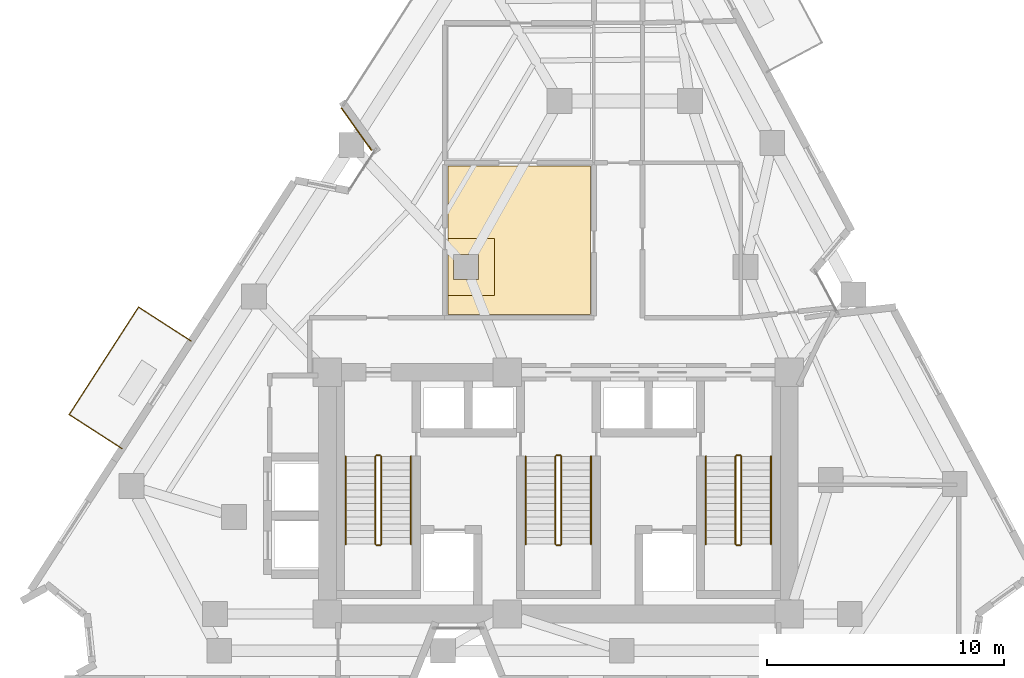
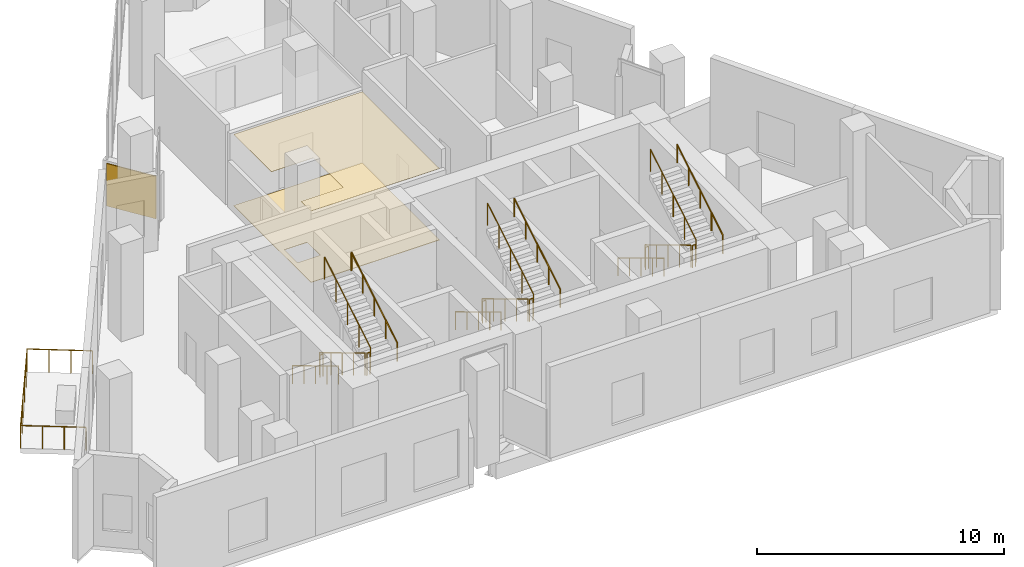
# One storey, part 9 of 10: 19 railings, 3 coverings.
"""IFC4 building model written with IfcOpenShell, lengths in metres."""

from ifc_helpers import new_model, si_unit, direction, frame, origin, origin_2d, place, context, subcontext, project, spatial, polyline, rectangle, circle, outline, extrude, material, layer, layer_set, type_object, element, save


model = new_model("IFC4")

# Units and contexts
model_context = context("Model", 3, precision=1e-05, world=origin(), true_north=direction((0.0, 1.0)))
body_context = subcontext(model_context, "Body", "Model", "MODEL_VIEW")
ifc_project = project(units=[si_unit("LENGTHUNIT", "METRE"), si_unit("AREAUNIT", "SQUARE_METRE"), si_unit("VOLUMEUNIT", "CUBIC_METRE"), si_unit("PLANEANGLEUNIT", "RADIAN"), si_unit("MASSUNIT", "GRAM", prefix="KILO")], contexts=[model_context])

# Site, building, storey
site_placement = place(None, origin())
site = spatial("IfcSite", under=ifc_project, at=site_placement, CompositionType="ELEMENT")
building_placement = place(site_placement, origin())
building = spatial("IfcBuilding", under=site, at=building_placement, Name="Almagre Mirador Tower", CompositionType="ELEMENT")
storey_placement = place(building_placement, frame((0.0, 0.0, 196.800048828125)))
storey = spatial("IfcBuildingStorey", under=building, at=storey_placement, Name="L51", CompositionType="ELEMENT", Elevation=196.800048828125)

# Coverings
ifc_material_1 = material(Name="Perforated acoustic gypsum ceiling", Category="other")
ifc_layer_1 = layer(ifc_material_1, 0.01806640625)
ifc_layer_set_1 = layer_set([ifc_layer_1], Name="Perforated acoustic gypsum ceiling")
covering_type_1 = type_object("IfcCoveringType", Name="COV-CEIL-GYP-18", PredefinedType="CEILING", material=ifc_layer_set_1)
covering_1_placement = place(storey_placement, frame((0.0, 0.0, 3.52001953125)))
element("IfcCovering", 1, at=covering_1_placement, inside=storey, type_object=covering_type_1, Name="L51 L51 Transfer Sky Lobby acoustic suspended ceiling", PredefinedType="CEILING", context=body_context, shape_type="SweptSolid", body=[
    extrude(outline(polyline([(32.64990234375, 17.9951171875), (34.60498046875, 17.9951171875), (34.60498046875, 20.405029296875), (32.64990234375, 20.405029296875), (32.64990234375, 23.449951171875), (38.64990234375, 23.449951171875), (38.64990234375, 17.199951171875), (32.64990234375, 17.199951171875), (32.64990234375, 17.9951171875)])), origin(), (0.0, 0.0, 1.0), 0.017822265625),
])
ifc_material_2 = material(Name="Almagre terracotta architectural cladding", Category="masonry")
ifc_layer_2 = layer(ifc_material_2, 0.044921875)
ifc_layer_set_2 = layer_set([ifc_layer_2], Name="Almagre terracotta architectural cladding")
covering_type_2 = type_object("IfcCoveringType", Name="COV-CLAD-ALMAGRE", PredefinedType="CLADDING", material=ifc_layer_set_2)
covering_2_placement = place(storey_placement, frame((28.778076171875, 25.016845703125, 0.099853515625), z_axis=(0.0, 0.0, 1.0), x_axis=(-0.580475589131, 0.814277649468, 0.0)))
element("IfcCovering", 2, at=covering_2_placement, inside=storey, type_object=covering_type_2, Name="L51 almagre terracotta pier cladding", PredefinedType="CLADDING", context=body_context, shape_type="SweptSolid", body=[
    extrude(rectangle(XDim=2.194091796875, YDim=0.044921875, at=origin_2d()), origin(), (0.0, 0.0, 1.0), 2.10009765625),
])
ifc_material_3 = material(Name="Honed basalt terrazzo flooring", Category="masonry")
ifc_layer_3 = layer(ifc_material_3, 0.02197265625)
ifc_layer_set_3 = layer_set([ifc_layer_3], Name="Honed basalt terrazzo flooring")
covering_type_3 = type_object("IfcCoveringType", Name="COV-FLR-TER-22", PredefinedType="FLOORING", material=ifc_layer_set_3)
covering_3_placement = place(storey_placement, origin())
element("IfcCovering", 3, at=covering_3_placement, inside=storey, type_object=covering_type_3, Name="L51 L51 Transfer Sky Lobby finish flooring", PredefinedType="FLOORING", context=body_context, shape_type="SweptSolid", body=[
    extrude(outline(polyline([(32.64990234375, 17.199951171875), (32.64990234375, 23.449951171875), (38.64990234375, 23.449951171875), (38.64990234375, 17.199951171875), (32.64990234375, 17.199951171875)]), holes=[polyline([(32.8701171875, 18.669921875), (32.8701171875, 19.72998046875), (33.929931640625, 19.72998046875), (33.929931640625, 18.669921875), (32.8701171875, 18.669921875)])]), origin(), (0.0, 0.0, 1.0), 0.02197265625),
])

# Railings
ifc_material_4 = material(Name="Black anodized aluminium", Category="aluminium")
railing_type_1 = type_object("IfcRailingType", Name="RLG-BAL-1150", PredefinedType="BALUSTRADE", material=ifc_material_4)
railing_1_placement = place(storey_placement, frame((21.802978515625, 16.069091796875, 0.0)))
element("IfcRailing", 4, at=railing_1_placement, inside=storey, type_object=railing_type_1, Name="L51 west balcony balustrade 2", PredefinedType="BALUSTRADE", context=body_context, shape_type="SweptSolid", body=[
    extrude(circle(Radius=0.02392578125, at=origin_2d()), frame((0.0, 0.0, 1.1259765625), z_axis=(-0.840363006346, 0.542024000913, 0.0), x_axis=(-0.542024000913, -0.840363006346, 0.0)), (0.0, 0.0, 1.0), 2.64892578125),
    extrude(circle(Radius=0.02392578125, at=origin_2d()), frame((-2.22607421875, 1.435791015625, 1.1259765625), z_axis=(-0.542043453001, -0.840350459665, 0.0), x_axis=(0.840350459665, -0.542043453001, 0.0)), (0.0, 0.0, 1.0), 5.39990234375),
    extrude(circle(Radius=0.02392578125, at=origin_2d()), frame((-5.153076171875, -3.10205078125, 1.1259765625), z_axis=(0.840429304159, -0.54192119788, 0.0), x_axis=(0.54192119788, 0.840429304159, 0.0)), (0.0, 0.0, 1.0), 2.64990234375),
    extrude(circle(Radius=0.02099609375, at=origin_2d()), origin(), (0.0, 0.0, 1.0), 1.101806640625),
    extrude(circle(Radius=0.02099609375, at=origin_2d()), frame((-0.741943359375, 0.478515625, 0.0)), (0.0, 0.0, 1.0), 1.101806640625),
    extrude(circle(Radius=0.02099609375, at=origin_2d()), frame((-1.484130859375, 0.957275390625, 0.0)), (0.0, 0.0, 1.0), 1.101806640625),
    extrude(circle(Radius=0.02099609375, at=origin_2d()), frame((-2.22607421875, 1.435791015625, 0.0)), (0.0, 0.0, 1.0), 1.101806640625),
    extrude(circle(Radius=0.02099609375, at=origin_2d()), frame((-2.8115234375, 0.5283203125, 0.0)), (0.0, 0.0, 1.0), 1.101806640625),
    extrude(circle(Radius=0.02099609375, at=origin_2d()), frame((-3.39697265625, -0.37939453125, 0.0)), (0.0, 0.0, 1.0), 1.101806640625),
    extrude(circle(Radius=0.02099609375, at=origin_2d()), frame((-3.982177734375, -1.286865234375, 0.0)), (0.0, 0.0, 1.0), 1.101806640625),
    extrude(circle(Radius=0.02099609375, at=origin_2d()), frame((-4.567626953125, -2.194580078125, 0.0)), (0.0, 0.0, 1.0), 1.101806640625),
    extrude(circle(Radius=0.02099609375, at=origin_2d()), frame((-5.153076171875, -3.10205078125, 0.0)), (0.0, 0.0, 1.0), 1.101806640625),
    extrude(circle(Radius=0.02099609375, at=origin_2d()), frame((-4.41064453125, -3.580810546875, 0.0)), (0.0, 0.0, 1.0), 1.101806640625),
    extrude(circle(Radius=0.02099609375, at=origin_2d()), frame((-3.66845703125, -4.059326171875, 0.0)), (0.0, 0.0, 1.0), 1.101806640625),
    extrude(circle(Radius=0.02099609375, at=origin_2d()), frame((-2.926025390625, -4.5380859375, 0.0)), (0.0, 0.0, 1.0), 1.101806640625),
])
ifc_material_5 = material(Name="Painted galvanized steel", Category="steel")
railing_type_2 = type_object("IfcRailingType", Name="RLG-GRD-1100", PredefinedType="GUARDRAIL", material=ifc_material_5)
railing_2_placement = place(storey_placement, frame((29.574951171875, 11.199951171875, 0.17138671875)))
element("IfcRailing", 5, at=railing_2_placement, inside=storey, type_object=railing_type_2, Name="L51 ST-1 stair guard 1", PredefinedType="GUARDRAIL", context=body_context, shape_type="SweptSolid", body=[
    extrude(circle(Radius=0.02392578125, at=origin_2d()), frame((0.0, 0.0, 1.09619140625), z_axis=(0.0, -0.856919398105, 0.515450429384), x_axis=(1.0, 0.0, 0.0)), (0.0, 0.0, 1.0), 4.323486328125),
    extrude(circle(Radius=0.02099609375, at=origin_2d()), origin(), (0.0, 0.0, 1.0), 1.072021484375),
    extrude(circle(Radius=0.02099609375, at=origin_2d()), frame((0.0, -0.92626953125, 0.55712890625)), (0.0, 0.0, 1.0), 1.072021484375),
    extrude(circle(Radius=0.02099609375, at=origin_2d()), frame((0.0, -1.8525390625, 1.1142578125)), (0.0, 0.0, 1.0), 1.072021484375),
    extrude(circle(Radius=0.02099609375, at=origin_2d()), frame((0.0, -2.778564453125, 1.67138671875)), (0.0, 0.0, 1.0), 1.072021484375),
    extrude(circle(Radius=0.02099609375, at=origin_2d()), frame((0.0, -3.704833984375, 2.228515625)), (0.0, 0.0, 1.0), 1.072021484375),
])
railing_3_placement = place(storey_placement, frame((29.625, 7.445068359375, 2.39990234375)))
element("IfcRailing", 6, at=railing_3_placement, inside=storey, type_object=railing_type_2, Name="L51 ST-1 stair guard 2", PredefinedType="GUARDRAIL", context=body_context, shape_type="SweptSolid", body=[
    extrude(circle(Radius=0.02392578125, at=origin_2d()), frame((0.0, 0.0, 1.09619140625), z_axis=(1.0, 0.0, 0.0), x_axis=(0.0, 1.0, 0.0)), (0.0, 0.0, 1.0), 0.14990234375),
    extrude(circle(Radius=0.02099609375, at=origin_2d()), origin(), (0.0, 0.0, 1.0), 1.072021484375),
    extrude(circle(Radius=0.02099609375, at=origin_2d()), frame((0.14990234375, 0.0, 0.0)), (0.0, 0.0, 1.0), 1.072021484375),
])
railing_4_placement = place(storey_placement, frame((29.824951171875, 7.4951171875, 2.5712890625)))
element("IfcRailing", 7, at=railing_4_placement, inside=storey, type_object=railing_type_2, Name="L51 ST-1 stair guard 3", PredefinedType="GUARDRAIL", context=body_context, shape_type="SweptSolid", body=[
    extrude(circle(Radius=0.02392578125, at=origin_2d()), frame((0.0, 0.0, 1.09619140625), z_axis=(0.0, 0.856894455432, 0.515491893485), x_axis=(-1.0, 0.0, 0.0)), (0.0, 0.0, 1.0), 4.323486328125),
    extrude(circle(Radius=0.02099609375, at=origin_2d()), origin(), (0.0, 0.0, 1.0), 1.072021484375),
    extrude(circle(Radius=0.02099609375, at=origin_2d()), frame((0.0, 0.92626953125, 0.55712890625)), (0.0, 0.0, 1.0), 1.072021484375),
    extrude(circle(Radius=0.02099609375, at=origin_2d()), frame((0.0, 1.8525390625, 1.1142578125)), (0.0, 0.0, 1.0), 1.072021484375),
    extrude(circle(Radius=0.02099609375, at=origin_2d()), frame((0.0, 2.778564453125, 1.671630859375)), (0.0, 0.0, 1.0), 1.072021484375),
    extrude(circle(Radius=0.02099609375, at=origin_2d()), frame((0.0, 3.704833984375, 2.228759765625)), (0.0, 0.0, 1.0), 1.072021484375),
])
railing_5_placement = place(storey_placement, frame((29.625, 11.25, 0.0)))
element("IfcRailing", 8, at=railing_5_placement, inside=storey, type_object=railing_type_2, Name="L51 ST-1 stair guard 4", PredefinedType="GUARDRAIL", context=body_context, shape_type="SweptSolid", body=[
    extrude(circle(Radius=0.02392578125, at=origin_2d()), frame((0.0, 0.0, 1.09619140625), z_axis=(1.0, 0.0, 0.0), x_axis=(0.0, 1.0, 0.0)), (0.0, 0.0, 1.0), 0.14990234375),
    extrude(circle(Radius=0.02099609375, at=origin_2d()), origin(), (0.0, 0.0, 1.0), 1.072021484375),
    extrude(circle(Radius=0.02099609375, at=origin_2d()), frame((0.14990234375, 0.0, 0.0)), (0.0, 0.0, 1.0), 1.072021484375),
])
railing_6_placement = place(storey_placement, frame((37.175048828125, 11.199951171875, 0.17138671875)))
element("IfcRailing", 9, at=railing_6_placement, inside=storey, type_object=railing_type_2, Name="L51 ST-2 stair guard 1", PredefinedType="GUARDRAIL", context=body_context, shape_type="SweptSolid", body=[
    extrude(circle(Radius=0.02392578125, at=origin_2d()), frame((0.0, 0.0, 1.09619140625), z_axis=(0.0, -0.856919398105, 0.515450429384), x_axis=(1.0, 0.0, 0.0)), (0.0, 0.0, 1.0), 4.323486328125),
    extrude(circle(Radius=0.02099609375, at=origin_2d()), origin(), (0.0, 0.0, 1.0), 1.072021484375),
    extrude(circle(Radius=0.02099609375, at=origin_2d()), frame((0.0, -0.92626953125, 0.55712890625)), (0.0, 0.0, 1.0), 1.072021484375),
    extrude(circle(Radius=0.02099609375, at=origin_2d()), frame((0.0, -1.8525390625, 1.1142578125)), (0.0, 0.0, 1.0), 1.072021484375),
    extrude(circle(Radius=0.02099609375, at=origin_2d()), frame((0.0, -2.778564453125, 1.67138671875)), (0.0, 0.0, 1.0), 1.072021484375),
    extrude(circle(Radius=0.02099609375, at=origin_2d()), frame((0.0, -3.704833984375, 2.228515625)), (0.0, 0.0, 1.0), 1.072021484375),
])
railing_7_placement = place(storey_placement, frame((37.22509765625, 7.445068359375, 2.39990234375)))
element("IfcRailing", 10, at=railing_7_placement, inside=storey, type_object=railing_type_2, Name="L51 ST-2 stair guard 2", PredefinedType="GUARDRAIL", context=body_context, shape_type="SweptSolid", body=[
    extrude(circle(Radius=0.02392578125, at=origin_2d()), frame((0.0, 0.0, 1.09619140625), z_axis=(1.0, 0.0, 0.0), x_axis=(0.0, 1.0, 0.0)), (0.0, 0.0, 1.0), 0.14990234375),
    extrude(circle(Radius=0.02099609375, at=origin_2d()), origin(), (0.0, 0.0, 1.0), 1.072021484375),
    extrude(circle(Radius=0.02099609375, at=origin_2d()), frame((0.14990234375, 0.0, 0.0)), (0.0, 0.0, 1.0), 1.072021484375),
])
railing_8_placement = place(storey_placement, frame((37.425048828125, 7.4951171875, 2.5712890625)))
element("IfcRailing", 11, at=railing_8_placement, inside=storey, type_object=railing_type_2, Name="L51 ST-2 stair guard 3", PredefinedType="GUARDRAIL", context=body_context, shape_type="SweptSolid", body=[
    extrude(circle(Radius=0.02392578125, at=origin_2d()), frame((0.0, 0.0, 1.09619140625), z_axis=(0.0, 0.856894455432, 0.515491893485), x_axis=(-1.0, 0.0, 0.0)), (0.0, 0.0, 1.0), 4.323486328125),
    extrude(circle(Radius=0.02099609375, at=origin_2d()), origin(), (0.0, 0.0, 1.0), 1.072021484375),
    extrude(circle(Radius=0.02099609375, at=origin_2d()), frame((0.0, 0.92626953125, 0.55712890625)), (0.0, 0.0, 1.0), 1.072021484375),
    extrude(circle(Radius=0.02099609375, at=origin_2d()), frame((0.0, 1.8525390625, 1.1142578125)), (0.0, 0.0, 1.0), 1.072021484375),
    extrude(circle(Radius=0.02099609375, at=origin_2d()), frame((0.0, 2.778564453125, 1.671630859375)), (0.0, 0.0, 1.0), 1.072021484375),
    extrude(circle(Radius=0.02099609375, at=origin_2d()), frame((0.0, 3.704833984375, 2.228759765625)), (0.0, 0.0, 1.0), 1.072021484375),
])
railing_9_placement = place(storey_placement, frame((37.22509765625, 11.25, 0.0)))
element("IfcRailing", 12, at=railing_9_placement, inside=storey, type_object=railing_type_2, Name="L51 ST-2 stair guard 4", PredefinedType="GUARDRAIL", context=body_context, shape_type="SweptSolid", body=[
    extrude(circle(Radius=0.02392578125, at=origin_2d()), frame((0.0, 0.0, 1.09619140625), z_axis=(1.0, 0.0, 0.0), x_axis=(0.0, 1.0, 0.0)), (0.0, 0.0, 1.0), 0.14990234375),
    extrude(circle(Radius=0.02099609375, at=origin_2d()), origin(), (0.0, 0.0, 1.0), 1.072021484375),
    extrude(circle(Radius=0.02099609375, at=origin_2d()), frame((0.14990234375, 0.0, 0.0)), (0.0, 0.0, 1.0), 1.072021484375),
])
railing_10_placement = place(storey_placement, frame((44.77490234375, 11.199951171875, 0.17138671875)))
element("IfcRailing", 13, at=railing_10_placement, inside=storey, type_object=railing_type_2, Name="L51 ST-3 stair guard 1", PredefinedType="GUARDRAIL", context=body_context, shape_type="SweptSolid", body=[
    extrude(circle(Radius=0.02392578125, at=origin_2d()), frame((0.0, 0.0, 1.09619140625), z_axis=(0.0, -0.856919398105, 0.515450429384), x_axis=(1.0, 0.0, 0.0)), (0.0, 0.0, 1.0), 4.323486328125),
    extrude(circle(Radius=0.02099609375, at=origin_2d()), origin(), (0.0, 0.0, 1.0), 1.072021484375),
    extrude(circle(Radius=0.02099609375, at=origin_2d()), frame((0.0, -0.92626953125, 0.55712890625)), (0.0, 0.0, 1.0), 1.072021484375),
    extrude(circle(Radius=0.02099609375, at=origin_2d()), frame((0.0, -1.8525390625, 1.1142578125)), (0.0, 0.0, 1.0), 1.072021484375),
    extrude(circle(Radius=0.02099609375, at=origin_2d()), frame((0.0, -2.778564453125, 1.67138671875)), (0.0, 0.0, 1.0), 1.072021484375),
    extrude(circle(Radius=0.02099609375, at=origin_2d()), frame((0.0, -3.704833984375, 2.228515625)), (0.0, 0.0, 1.0), 1.072021484375),
])
railing_11_placement = place(storey_placement, frame((44.824951171875, 7.445068359375, 2.39990234375)))
element("IfcRailing", 14, at=railing_11_placement, inside=storey, type_object=railing_type_2, Name="L51 ST-3 stair guard 2", PredefinedType="GUARDRAIL", context=body_context, shape_type="SweptSolid", body=[
    extrude(circle(Radius=0.02392578125, at=origin_2d()), frame((0.0, 0.0, 1.09619140625), z_axis=(1.0, 0.0, 0.0), x_axis=(0.0, 1.0, 0.0)), (0.0, 0.0, 1.0), 0.150146484375),
    extrude(circle(Radius=0.02099609375, at=origin_2d()), origin(), (0.0, 0.0, 1.0), 1.072021484375),
    extrude(circle(Radius=0.02099609375, at=origin_2d()), frame((0.150146484375, 0.0, 0.0)), (0.0, 0.0, 1.0), 1.072021484375),
])
railing_12_placement = place(storey_placement, frame((45.02490234375, 7.4951171875, 2.5712890625)))
element("IfcRailing", 15, at=railing_12_placement, inside=storey, type_object=railing_type_2, Name="L51 ST-3 stair guard 3", PredefinedType="GUARDRAIL", context=body_context, shape_type="SweptSolid", body=[
    extrude(circle(Radius=0.02392578125, at=origin_2d()), frame((0.0, 0.0, 1.09619140625), z_axis=(0.0, 0.856894455432, 0.515491893485), x_axis=(-1.0, 0.0, 0.0)), (0.0, 0.0, 1.0), 4.323486328125),
    extrude(circle(Radius=0.02099609375, at=origin_2d()), origin(), (0.0, 0.0, 1.0), 1.072021484375),
    extrude(circle(Radius=0.02099609375, at=origin_2d()), frame((0.0, 0.92626953125, 0.55712890625)), (0.0, 0.0, 1.0), 1.072021484375),
    extrude(circle(Radius=0.02099609375, at=origin_2d()), frame((0.0, 1.8525390625, 1.1142578125)), (0.0, 0.0, 1.0), 1.072021484375),
    extrude(circle(Radius=0.02099609375, at=origin_2d()), frame((0.0, 2.778564453125, 1.671630859375)), (0.0, 0.0, 1.0), 1.072021484375),
    extrude(circle(Radius=0.02099609375, at=origin_2d()), frame((0.0, 3.704833984375, 2.228759765625)), (0.0, 0.0, 1.0), 1.072021484375),
])
railing_13_placement = place(storey_placement, frame((44.824951171875, 11.25, 0.0)))
element("IfcRailing", 16, at=railing_13_placement, inside=storey, type_object=railing_type_2, Name="L51 ST-3 stair guard 4", PredefinedType="GUARDRAIL", context=body_context, shape_type="SweptSolid", body=[
    extrude(circle(Radius=0.02392578125, at=origin_2d()), frame((0.0, 0.0, 1.09619140625), z_axis=(1.0, 0.0, 0.0), x_axis=(0.0, 1.0, 0.0)), (0.0, 0.0, 1.0), 0.150146484375),
    extrude(circle(Radius=0.02099609375, at=origin_2d()), origin(), (0.0, 0.0, 1.0), 1.072021484375),
    extrude(circle(Radius=0.02099609375, at=origin_2d()), frame((0.150146484375, 0.0, 0.0)), (0.0, 0.0, 1.0), 1.072021484375),
])
ifc_material_6 = material(Name="Brushed stainless steel", Category="steel")
railing_type_3 = type_object("IfcRailingType", Name="RLG-HND-915", PredefinedType="HANDRAIL", material=ifc_material_6)
railing_14_placement = place(storey_placement, frame((28.324951171875, 11.199951171875, 0.17138671875)))
element("IfcRailing", 17, at=railing_14_placement, inside=storey, type_object=railing_type_3, Name="L51 ST-1 stair handrail 1", PredefinedType="HANDRAIL", context=body_context, shape_type="SweptSolid", body=[
    extrude(circle(Radius=0.02392578125, at=origin_2d()), frame((0.0, 0.0, 0.89111328125), z_axis=(0.0, -0.856919398105, 0.515450429384), x_axis=(1.0, 0.0, 0.0)), (0.0, 0.0, 1.0), 4.323486328125),
    extrude(circle(Radius=0.02099609375, at=origin_2d()), origin(), (0.0, 0.0, 1.0), 0.866943359375),
    extrude(circle(Radius=0.02099609375, at=origin_2d()), frame((0.0, -0.92626953125, 0.55712890625)), (0.0, 0.0, 1.0), 0.866943359375),
    extrude(circle(Radius=0.02099609375, at=origin_2d()), frame((0.0, -1.8525390625, 1.1142578125)), (0.0, 0.0, 1.0), 0.866943359375),
    extrude(circle(Radius=0.02099609375, at=origin_2d()), frame((0.0, -2.778564453125, 1.67138671875)), (0.0, 0.0, 1.0), 0.866943359375),
    extrude(circle(Radius=0.02099609375, at=origin_2d()), frame((0.0, -3.704833984375, 2.228515625)), (0.0, 0.0, 1.0), 0.866943359375),
])
railing_15_placement = place(storey_placement, frame((31.074951171875, 7.4951171875, 2.5712890625)))
element("IfcRailing", 18, at=railing_15_placement, inside=storey, type_object=railing_type_3, Name="L51 ST-1 stair handrail 2", PredefinedType="HANDRAIL", context=body_context, shape_type="SweptSolid", body=[
    extrude(circle(Radius=0.02392578125, at=origin_2d()), frame((0.0, 0.0, 0.89111328125), z_axis=(0.0, 0.856894455432, 0.515491893485), x_axis=(-1.0, 0.0, 0.0)), (0.0, 0.0, 1.0), 4.323486328125),
    extrude(circle(Radius=0.02099609375, at=origin_2d()), origin(), (0.0, 0.0, 1.0), 0.866943359375),
    extrude(circle(Radius=0.02099609375, at=origin_2d()), frame((0.0, 0.92626953125, 0.55712890625)), (0.0, 0.0, 1.0), 0.866943359375),
    extrude(circle(Radius=0.02099609375, at=origin_2d()), frame((0.0, 1.8525390625, 1.1142578125)), (0.0, 0.0, 1.0), 0.866943359375),
    extrude(circle(Radius=0.02099609375, at=origin_2d()), frame((0.0, 2.778564453125, 1.671630859375)), (0.0, 0.0, 1.0), 0.866943359375),
    extrude(circle(Radius=0.02099609375, at=origin_2d()), frame((0.0, 3.704833984375, 2.228759765625)), (0.0, 0.0, 1.0), 0.866943359375),
])
railing_16_placement = place(storey_placement, frame((35.925048828125, 11.199951171875, 0.17138671875)))
element("IfcRailing", 19, at=railing_16_placement, inside=storey, type_object=railing_type_3, Name="L51 ST-2 stair handrail 1", PredefinedType="HANDRAIL", context=body_context, shape_type="SweptSolid", body=[
    extrude(circle(Radius=0.02392578125, at=origin_2d()), frame((0.0, 0.0, 0.89111328125), z_axis=(0.0, -0.856919398105, 0.515450429384), x_axis=(1.0, 0.0, 0.0)), (0.0, 0.0, 1.0), 4.323486328125),
    extrude(circle(Radius=0.02099609375, at=origin_2d()), origin(), (0.0, 0.0, 1.0), 0.866943359375),
    extrude(circle(Radius=0.02099609375, at=origin_2d()), frame((0.0, -0.92626953125, 0.55712890625)), (0.0, 0.0, 1.0), 0.866943359375),
    extrude(circle(Radius=0.02099609375, at=origin_2d()), frame((0.0, -1.8525390625, 1.1142578125)), (0.0, 0.0, 1.0), 0.866943359375),
    extrude(circle(Radius=0.02099609375, at=origin_2d()), frame((0.0, -2.778564453125, 1.67138671875)), (0.0, 0.0, 1.0), 0.866943359375),
    extrude(circle(Radius=0.02099609375, at=origin_2d()), frame((0.0, -3.704833984375, 2.228515625)), (0.0, 0.0, 1.0), 0.866943359375),
])
railing_17_placement = place(storey_placement, frame((38.675048828125, 7.4951171875, 2.5712890625)))
element("IfcRailing", 20, at=railing_17_placement, inside=storey, type_object=railing_type_3, Name="L51 ST-2 stair handrail 2", PredefinedType="HANDRAIL", context=body_context, shape_type="SweptSolid", body=[
    extrude(circle(Radius=0.02392578125, at=origin_2d()), frame((0.0, 0.0, 0.89111328125), z_axis=(0.0, 0.856894455432, 0.515491893485), x_axis=(-1.0, 0.0, 0.0)), (0.0, 0.0, 1.0), 4.323486328125),
    extrude(circle(Radius=0.02099609375, at=origin_2d()), origin(), (0.0, 0.0, 1.0), 0.866943359375),
    extrude(circle(Radius=0.02099609375, at=origin_2d()), frame((0.0, 0.92626953125, 0.55712890625)), (0.0, 0.0, 1.0), 0.866943359375),
    extrude(circle(Radius=0.02099609375, at=origin_2d()), frame((0.0, 1.8525390625, 1.1142578125)), (0.0, 0.0, 1.0), 0.866943359375),
    extrude(circle(Radius=0.02099609375, at=origin_2d()), frame((0.0, 2.778564453125, 1.671630859375)), (0.0, 0.0, 1.0), 0.866943359375),
    extrude(circle(Radius=0.02099609375, at=origin_2d()), frame((0.0, 3.704833984375, 2.228759765625)), (0.0, 0.0, 1.0), 0.866943359375),
])
railing_18_placement = place(storey_placement, frame((43.52490234375, 11.199951171875, 0.17138671875)))
element("IfcRailing", 21, at=railing_18_placement, inside=storey, type_object=railing_type_3, Name="L51 ST-3 stair handrail 1", PredefinedType="HANDRAIL", context=body_context, shape_type="SweptSolid", body=[
    extrude(circle(Radius=0.02392578125, at=origin_2d()), frame((0.0, 0.0, 0.89111328125), z_axis=(0.0, -0.856919398105, 0.515450429384), x_axis=(1.0, 0.0, 0.0)), (0.0, 0.0, 1.0), 4.323486328125),
    extrude(circle(Radius=0.02099609375, at=origin_2d()), origin(), (0.0, 0.0, 1.0), 0.866943359375),
    extrude(circle(Radius=0.02099609375, at=origin_2d()), frame((0.0, -0.92626953125, 0.55712890625)), (0.0, 0.0, 1.0), 0.866943359375),
    extrude(circle(Radius=0.02099609375, at=origin_2d()), frame((0.0, -1.8525390625, 1.1142578125)), (0.0, 0.0, 1.0), 0.866943359375),
    extrude(circle(Radius=0.02099609375, at=origin_2d()), frame((0.0, -2.778564453125, 1.67138671875)), (0.0, 0.0, 1.0), 0.866943359375),
    extrude(circle(Radius=0.02099609375, at=origin_2d()), frame((0.0, -3.704833984375, 2.228515625)), (0.0, 0.0, 1.0), 0.866943359375),
])
railing_19_placement = place(storey_placement, frame((46.27490234375, 7.4951171875, 2.5712890625)))
element("IfcRailing", 22, at=railing_19_placement, inside=storey, type_object=railing_type_3, Name="L51 ST-3 stair handrail 2", PredefinedType="HANDRAIL", context=body_context, shape_type="SweptSolid", body=[
    extrude(circle(Radius=0.02392578125, at=origin_2d()), frame((0.0, 0.0, 0.89111328125), z_axis=(0.0, 0.856894455432, 0.515491893485), x_axis=(-1.0, 0.0, 0.0)), (0.0, 0.0, 1.0), 4.323486328125),
    extrude(circle(Radius=0.02099609375, at=origin_2d()), origin(), (0.0, 0.0, 1.0), 0.866943359375),
    extrude(circle(Radius=0.02099609375, at=origin_2d()), frame((0.0, 0.92626953125, 0.55712890625)), (0.0, 0.0, 1.0), 0.866943359375),
    extrude(circle(Radius=0.02099609375, at=origin_2d()), frame((0.0, 1.8525390625, 1.1142578125)), (0.0, 0.0, 1.0), 0.866943359375),
    extrude(circle(Radius=0.02099609375, at=origin_2d()), frame((0.0, 2.778564453125, 1.671630859375)), (0.0, 0.0, 1.0), 0.866943359375),
    extrude(circle(Radius=0.02099609375, at=origin_2d()), frame((0.0, 3.704833984375, 2.228759765625)), (0.0, 0.0, 1.0), 0.866943359375),
])

save(model, "model.ifc")
